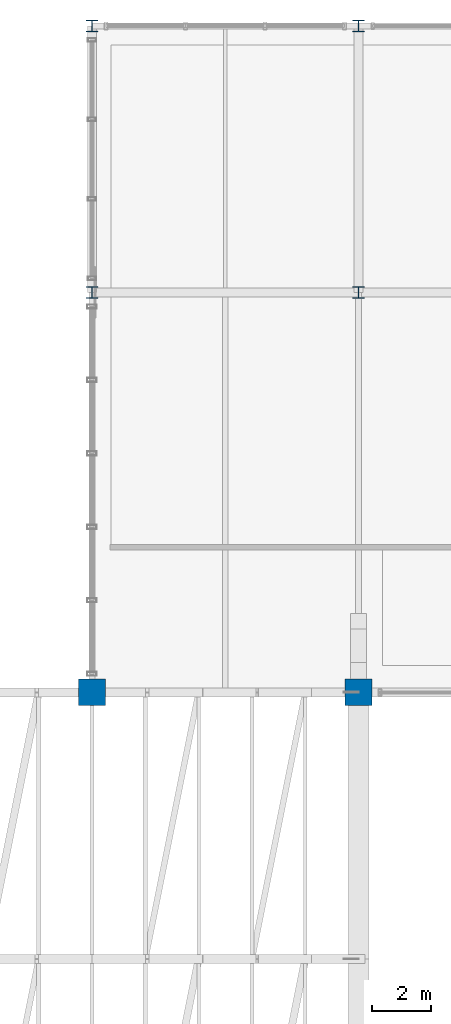
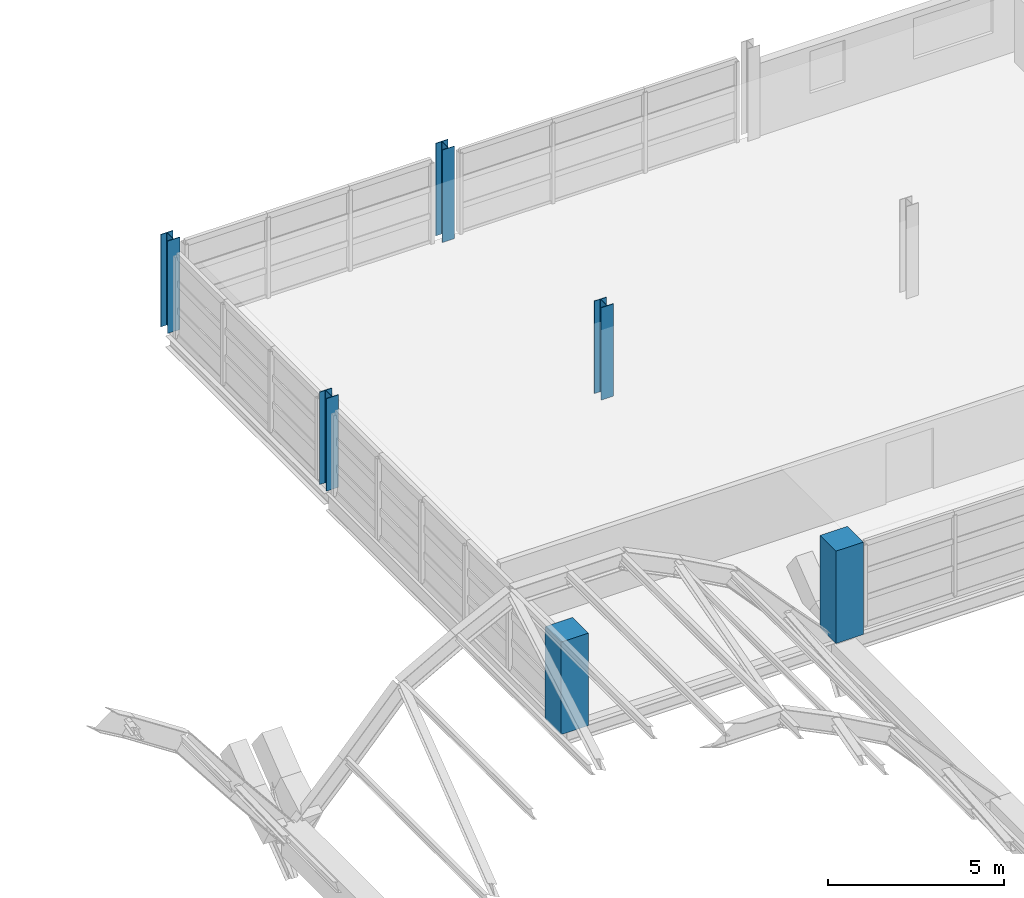
# One storey, part 1 of 86: 6 columns.
"""IFC4 building model written with IfcOpenShell, lengths in metres."""

import ifcopenshell
import ifcopenshell.guid

model = None  # the IFC model being written
_history = None  # IfcOwnerHistory: only IFC2X3 demands one
_inside = {}  # id of a spatial element -> (the spatial element, [elements in it])
_under = {}  # id of a project, library or spatial element -> (it, [spatial elements below it])
_declared = {}  # id of a project -> (the project, [libraries it declares])
_typed = {}  # id of a type object -> (the type object, [elements of that type])
_made_of = {}  # id of a material, layer set ... -> (it, [elements and type objects made of it])


def new_model(schema):
    """Start an empty IFC model of exactly this schema.

    Asked for "IFC4X3", IfcOpenShell would pick the latest addendum, in which some entities
    have other attributes; the version numbers below select the first issue.
    IFC2X3 requires an IfcOwnerHistory on every rooted entity: one is made here for all.
    """
    global model, _history
    if schema == "IFC4X3":
        model = ifcopenshell.file(schema_version=(4, 3, 0, 0))
    else:
        model = ifcopenshell.file(schema=schema)
    _inside.clear()
    _under.clear()
    _declared.clear()
    _typed.clear()
    _made_of.clear()
    _history = None
    if model.schema == "IFC2X3":
        org = make("IfcOrganization", Name="unknown")
        user = make(
            "IfcPersonAndOrganization",
            ThePerson=make("IfcPerson", FamilyName="unknown"),
            TheOrganization=org,
        )
        app = make(
            "IfcApplication",
            ApplicationDeveloper=org,
            Version="unknown",
            ApplicationFullName="unknown",
            ApplicationIdentifier="unknown",
        )
        _history = make(
            "IfcOwnerHistory",
            OwningUser=user,
            OwningApplication=app,
            ChangeAction="ADDED",
            CreationDate=0,
        )
    return model


def make(cls, **values):
    """One entity of the class cls with the attributes given. An attribute that is None is left unset."""
    return model.create_entity(
        cls, **{name: value for name, value in values.items() if value is not None}
    )


def rooted(cls, **values):
    """An entity with a GlobalId (a new one), such as an element, a storey or a relation."""
    return make(cls, GlobalId=ifcopenshell.guid.new(), OwnerHistory=_history, **values)


def si_unit(unit_type, name, prefix=None):
    """IfcSIUnit, for example si_unit("LENGTHUNIT", "METRE", prefix="MILLI")."""
    return make("IfcSIUnit", UnitType=unit_type, Prefix=prefix, Name=name)


def assignment(units):
    """IfcUnitAssignment: the units of a project."""
    return None if units is None else make("IfcUnitAssignment", Units=units)


def point(xyz):
    """IfcCartesianPoint."""
    return None if xyz is None else make("IfcCartesianPoint", Coordinates=xyz)


def direction(xyz):
    """IfcDirection."""
    return None if xyz is None else make("IfcDirection", DirectionRatios=xyz)


def frame(location, z_axis=None, x_axis=None):
    """IfcAxis2Placement3D, a coordinate frame: its origin and axes. An axis left out is left unset."""
    return make(
        "IfcAxis2Placement3D",
        Location=point(location),
        Axis=direction(z_axis),
        RefDirection=direction(x_axis),
    )


def frame_2d(location, x_axis=None):
    """IfcAxis2Placement2D, a coordinate frame in the plane: its origin and x axis."""
    return make(
        "IfcAxis2Placement2D", Location=point(location), RefDirection=direction(x_axis)
    )


def origin():
    """The frame at (0, 0, 0) with its axes left unset."""
    return frame((0.0, 0.0, 0.0))


def origin_2d():
    """The frame at (0, 0) in the plane with its x axis left unset."""
    return frame_2d((0.0, 0.0))


def place(relative_to, where):
    """IfcLocalPlacement: puts the frame where relative to a parent placement (None: the world)."""
    return make(
        "IfcLocalPlacement", PlacementRelTo=relative_to, RelativePlacement=where
    )


def context(
    kind, dimensions, precision=None, world=None, true_north=None, identifier=None
):
    """IfcGeometricRepresentationContext, for example the 3D "Model" context."""
    return make(
        "IfcGeometricRepresentationContext",
        ContextIdentifier=identifier,
        ContextType=kind,
        CoordinateSpaceDimension=dimensions,
        Precision=precision,
        WorldCoordinateSystem=world,
        TrueNorth=true_north,
    )


def subcontext(parent, identifier, kind, view, scale=None):
    """IfcGeometricRepresentationSubContext, for example "Body" below "Model"."""
    return make(
        "IfcGeometricRepresentationSubContext",
        ContextIdentifier=identifier,
        ContextType=kind,
        ParentContext=parent,
        TargetScale=scale,
        TargetView=view,
    )


def project(units=None, contexts=None):
    """IfcProject with its units and contexts."""
    return rooted(
        "IfcProject",
        Name="project",
        RepresentationContexts=contexts,
        UnitsInContext=assignment(units),
    )


def spatial(cls, under=None, at=None, **own):
    """A site, building, storey or space (cls), placed at a placement, below another one or the project."""
    s = rooted(cls, ObjectPlacement=at, **own)
    if under is not None:
        _under.setdefault(under.id(), (under, []))[1].append(s)
    return s


def profile(cls, at=None, kind="AREA", **sizes):
    """A parametric profile (cls). Its sizes go by their IFC names, for example OverallWidth=200.0."""
    return make(cls, ProfileType=kind, Position=at, **sizes)


def rectangle(**sizes):
    """IfcRectangleProfileDef."""
    return profile("IfcRectangleProfileDef", **sizes)


def i_section(**sizes):
    """IfcIShapeProfileDef."""
    return profile("IfcIShapeProfileDef", **sizes)


def extrude(swept, where, along, depth):
    """IfcExtrudedAreaSolid: the profile swept, set in the frame where, extruded along a direction by depth."""
    return make(
        "IfcExtrudedAreaSolid",
        SweptArea=swept,
        Position=where,
        ExtrudedDirection=direction(along),
        Depth=depth,
    )


def shape(context_of_items, identifier, shape_type, items):
    """IfcShapeRepresentation: the items that make up one representation, for example the "Body"."""
    return make(
        "IfcShapeRepresentation",
        ContextOfItems=context_of_items,
        RepresentationIdentifier=identifier,
        RepresentationType=shape_type,
        Items=items,
    )


def material(Name=None, Category=None):
    """IfcMaterial."""
    return make("IfcMaterial", Name=Name, Category=Category)


def material_profile(
    of_material, cross_section, Name=None, Category=None, Priority=None
):
    """IfcMaterialProfile: a cross section and its material."""
    return make(
        "IfcMaterialProfile",
        Name=Name,
        Material=of_material,
        Profile=cross_section,
        Priority=Priority,
        Category=Category,
    )


def profile_set(profiles, Name=None, composite=None):
    """IfcMaterialProfileSet."""
    return make(
        "IfcMaterialProfileSet",
        Name=Name,
        MaterialProfiles=profiles,
        CompositeProfile=composite,
    )


def made_of(thing, what):
    """Note that an element or type object is made of a material, layer set ...; save() writes the relation."""
    if what is not None:
        _made_of.setdefault(what.id(), (what, []))[1].append(thing)
    return thing


def type_object(cls, material=None, **own):
    """A type object (cls), such as IfcWallType, which elements share."""
    return made_of(rooted(cls, **own), material)


def element(
    cls,
    number,
    at=None,
    inside=None,
    cuts=None,
    type_object=None,
    material=None,
    context=None,
    identifier="Body",
    shape_type=None,
    held_by="IfcProductDefinitionShape",
    body=None,
    shapes=None,
    **own,
):
    """One element of the class cls, such as IfcWall. Its Tag is "e" and its number.

    at: its placement. inside: the storey or other place that contains it. cuts: it is an
    opening in that element (IfcRelVoidsElement). A single representation is given by context,
    identifier, shape_type and body (its items); several are given by shapes. held_by: the class
    of the entity that holds the representations. save() writes the other relations.
    """
    e = rooted(cls, Tag="e%d" % number, ObjectPlacement=at, **own)
    if body is not None:
        shapes = [shape(context, identifier, shape_type, body)]
    if shapes is not None:
        e.Representation = make(held_by, Representations=shapes)
    if inside is not None:
        _inside.setdefault(inside.id(), (inside, []))[1].append(e)
    if cuts is not None:
        rooted(
            "IfcRelVoidsElement", RelatingBuildingElement=cuts, RelatedOpeningElement=e
        )
    if type_object is not None:
        _typed.setdefault(type_object.id(), (type_object, []))[1].append(e)
    return made_of(e, material)


def aggregate(whole, parts):
    """IfcRelAggregates: a whole, such as a stair, and the parts it consists of."""
    return rooted("IfcRelAggregates", RelatingObject=whole, RelatedObjects=parts)


def save(model, path):
    """Write the relations noted so far, then the file.

    IfcRelAggregates (storeys below a building ...), IfcRelContainedInSpatialStructure (elements
    in a storey), IfcRelDefinesByType, IfcRelAssociatesMaterial and IfcRelDeclares: one each for
    every whole, place, type object, material and project.
    """
    for whole, parts in _under.values():
        aggregate(whole, parts)
    for where, things in _inside.values():
        rooted(
            "IfcRelContainedInSpatialStructure",
            RelatedElements=things,
            RelatingStructure=where,
        )
    for kind, things in _typed.values():
        rooted("IfcRelDefinesByType", RelatedObjects=things, RelatingType=kind)
    for what, things in _made_of.values():
        rooted("IfcRelAssociatesMaterial", RelatedObjects=things, RelatingMaterial=what)
    for by, libraries in _declared.values():
        rooted("IfcRelDeclares", RelatingContext=by, RelatedDefinitions=libraries)
    model.write(path)


model = new_model("IFC4")

# Units and contexts
model_context = context("Model", 3, precision=1e-05, world=origin(), true_north=direction((0.0, 1.0)))
body_context = subcontext(model_context, "Body", "Model", "MODEL_VIEW")
ifc_project = project(units=[si_unit("LENGTHUNIT", "METRE"), si_unit("AREAUNIT", "SQUARE_METRE"), si_unit("VOLUMEUNIT", "CUBIC_METRE"), si_unit("PLANEANGLEUNIT", "RADIAN"), si_unit("MASSUNIT", "GRAM", prefix="KILO")], contexts=[model_context])

# Site, building, storey
site_placement = place(None, origin())
site = spatial("IfcSite", under=ifc_project, at=site_placement, CompositionType="ELEMENT")
building_placement = place(site_placement, origin())
building = spatial("IfcBuilding", under=site, at=building_placement, Name="Chuanluo Vaults Station", CompositionType="ELEMENT")
storey_placement = place(building_placement, frame((0.0, 0.0, 14.39990234375)))
storey = spatial("IfcBuildingStorey", under=building, at=storey_placement, Name="L03", CompositionType="ELEMENT", Elevation=14.39990234375)

# Columns
ifc_material_1 = material(Name="Concrete C50", Category="concrete")
ifc_material_profile_1 = material_profile(ifc_material_1, rectangle(XDim=0.89990234375, YDim=0.89990234375, at=origin_2d()))
ifc_profile_set_1 = profile_set([ifc_material_profile_1], Name="Concrete C50")
column_type_1 = type_object("IfcColumnType", Name="COL-RC-900x900", PredefinedType="COLUMN", material=ifc_profile_set_1)
for number, where, z_axis, x_axis, name in (
    (1, (117.0, 103.5, 0.0), (0.0, 0.0, 1.0), (1.0, 0.0, 0.0), "Column L03-070"),
    (2, (126.0, 103.5, 0.0), (0.0, 0.0, 1.0), (1.0, 0.0, 0.0), "Column L03-081"),
):
    element("IfcColumn", number, at=place(storey_placement, frame(where, z_axis=z_axis, x_axis=x_axis)), inside=storey, type_object=column_type_1, Name=name, PredefinedType="COLUMN", context=body_context, shape_type="SweptSolid", body=[
        extrude(rectangle(XDim=0.89990234375, YDim=0.89990234375, at=origin_2d()), origin(), (0.0, 0.0, 1.0), 3.2001953125),
    ])
ifc_material_2 = material(Name="Steel Q355C", Category="steel")
ifc_material_profile_2 = material_profile(ifc_material_2, i_section(OverallWidth=0.39990234375, OverallDepth=0.39990234375, WebThickness=0.012939453125, FlangeThickness=0.02099609375, FilletRadius=0.02197265625, at=origin_2d()))
ifc_profile_set_2 = profile_set([ifc_material_profile_2], Name="Steel Q355C")
column_type_2 = type_object("IfcColumnType", Name="COL-STL-HW400", PredefinedType="COLUMN", material=ifc_profile_set_2)
for number, where, z_axis, x_axis, name in (
    (3, (117.0, 117.0, 0.0), (0.0, 0.0, 1.0), (1.0, 0.0, 0.0), "Column L03-071"),
    (4, (117.0, 126.0, 0.0), (0.0, 0.0, 1.0), (1.0, 0.0, 0.0), "Column L03-072"),
    (5, (126.0, 117.0, 0.0), (0.0, 0.0, 1.0), (1.0, 0.0, 0.0), "Column L03-082"),
    (6, (126.0, 126.0, 0.0), (0.0, 0.0, 1.0), (1.0, 0.0, 0.0), "Column L03-083"),
):
    element("IfcColumn", number, at=place(storey_placement, frame(where, z_axis=z_axis, x_axis=x_axis)), inside=storey, type_object=column_type_2, Name=name, PredefinedType="COLUMN", context=body_context, shape_type="SweptSolid", body=[
        extrude(i_section(OverallWidth=0.39990234375, OverallDepth=0.39990234375, WebThickness=0.012939453125, FlangeThickness=0.02099609375, FilletRadius=0.02197265625, at=origin_2d()), origin(), (0.0, 0.0, 1.0), 3.2001953125),
    ])

save(model, "model.ifc")
